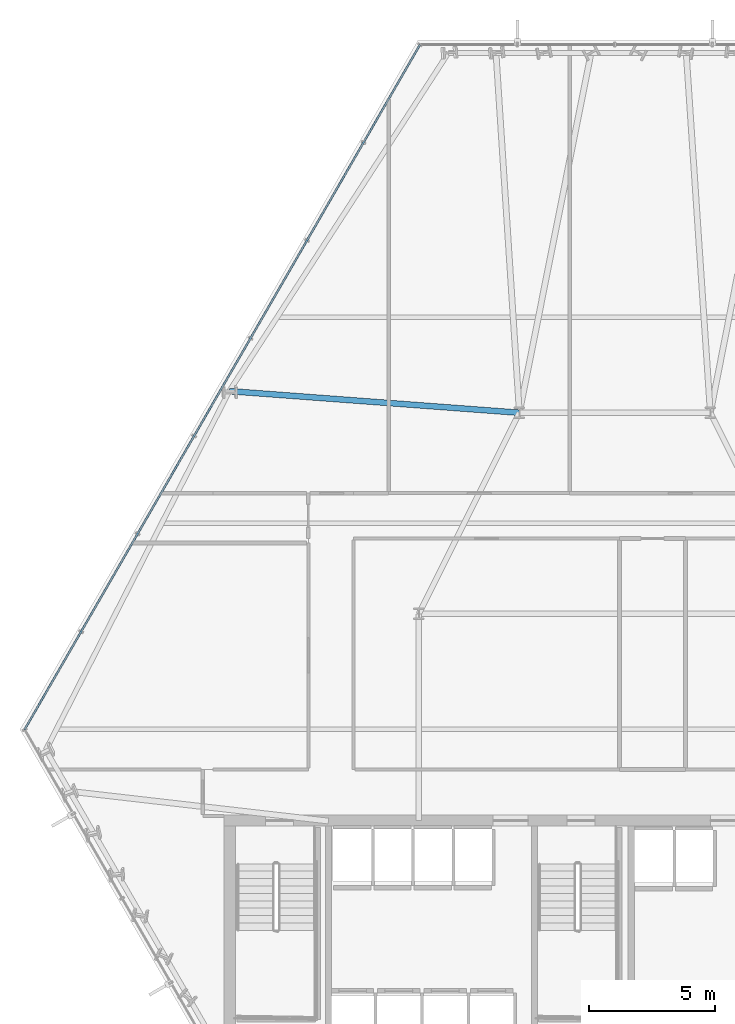
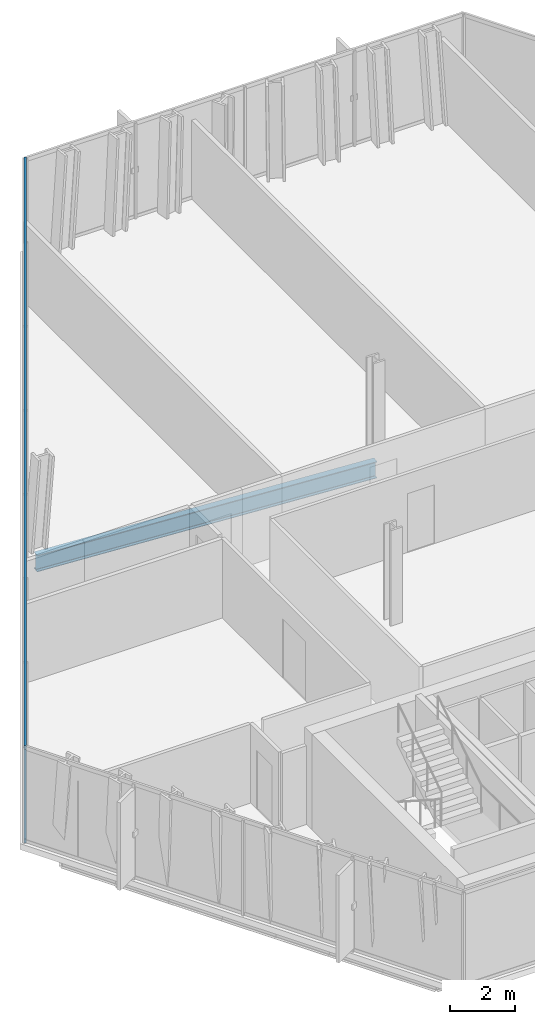
# One storey, part 12 of 32: 2 members, 1 beam, 1 element without a shape of its own.
"""IFC4 building model written with IfcOpenShell, lengths in metres."""

from ifc_helpers import new_model, si_unit, direction, frame, origin, origin_2d, place, context, subcontext, project, spatial, hollow_rectangle, i_section, extrude, material, layer, layer_set, material_profile, profile_set, type_object, element, aggregate, save


model = new_model("IFC4")

# Units and contexts
model_context = context("Model", 3, precision=1e-05, world=origin(), true_north=direction((0.0, 1.0)))
body_context = subcontext(model_context, "Body", "Model", "MODEL_VIEW")
ifc_project = project(units=[si_unit("LENGTHUNIT", "METRE"), si_unit("AREAUNIT", "SQUARE_METRE"), si_unit("VOLUMEUNIT", "CUBIC_METRE"), si_unit("PLANEANGLEUNIT", "RADIAN"), si_unit("MASSUNIT", "GRAM", prefix="KILO")], contexts=[model_context])

# Site, building, storey
site_placement = place(None, origin())
site = spatial("IfcSite", under=ifc_project, at=site_placement, CompositionType="ELEMENT")
building_placement = place(site_placement, origin())
building = spatial("IfcBuilding", under=site, at=building_placement, Name="Ndaravel Arena Tower", CompositionType="ELEMENT")
storey_placement = place(building_placement, frame((0.0, 0.0, 66.39990234375)))
storey = spatial("IfcBuildingStorey", under=building, at=storey_placement, Name="L14", CompositionType="ELEMENT", Elevation=66.39990234375)

# Beam
ifc_material_1 = material(Name="Steel S355", Category="steel")
ifc_material_profile_1 = material_profile(ifc_material_1, i_section(OverallWidth=0.230224609375, OverallDepth=0.6171875, WebThickness=0.01318359375, FlangeThickness=0.022216796875, FilletRadius=0.0126953125, at=origin_2d()), Name="UB 610x229x140")
ifc_profile_set_1 = profile_set([ifc_material_profile_1], Name="Steel S355")
beam_type = type_object("IfcBeamType", Name="BM-GIRD-UB610B", PredefinedType="BEAM", material=ifc_profile_set_1)
beam_placement = place(storey_placement, frame((26.653564453125, 32.060791015625, -0.528564453125), z_axis=(0.997232315228, -0.074348567334, 0.0), x_axis=(0.074348567334, 0.997232315228, 0.0)))
element("IfcBeam", 1, at=beam_placement, inside=storey, type_object=beam_type, Name="L14 Radial Floor Girder FG-19", PredefinedType="BEAM", context=body_context, shape_type="SweptSolid", body=[
    extrude(i_section(OverallWidth=0.230224609375, OverallDepth=0.6171875, WebThickness=0.01318359375, FlangeThickness=0.022216796875, FilletRadius=0.0126953125, at=origin_2d()), origin(), (0.0, 0.0, 1.0), 11.578369140625),
])

# Curtain wall, members
ifc_material_2 = material(Name="Aluminium", Category="aluminium")
ifc_layer = layer(ifc_material_2, 0.179931640625)
ifc_layer_set = layer_set([ifc_layer], Name="Aluminium")
curtain_wall_type = type_object("IfcCurtainWallType", Name="CW-SYS-03", PredefinedType="NOTDEFINED", material=ifc_layer_set)
curtain_wall_placement = place(storey_placement, origin())
curtain_wall = element("IfcCurtainWall", 2, at=curtain_wall_placement, inside=storey, type_object=curtain_wall_type, Name="L14 Faceted Crystal Curtain Wall CW-L14-E05", PredefinedType="NOTDEFINED")
ifc_material_3 = material(Name="Aluminium", Category="aluminium")
ifc_material_profile_2 = material_profile(ifc_material_3, hollow_rectangle(XDim=0.074951171875, YDim=0.14990234375, WallThickness=0.00390625, at=origin_2d()), Name="CW TRANSOM 75x150x4")
ifc_profile_set_2 = profile_set([ifc_material_profile_2], Name="Aluminium")
member_type = type_object("IfcMemberType", Name="MEM-CW-TRN150", PredefinedType="USERDEFINED", material=ifc_profile_set_2)
member_1_placement = place(storey_placement, frame((34.243896484375, 45.847900390625, 0.0400390625), z_axis=(-0.500001365865, -0.8660246152, 0.0), x_axis=(0.8660246152, -0.500001365865, 0.0)))
member_1 = element("IfcMember", 3, at=member_1_placement, type_object=member_type, Name="CW-L14-E05 Transom 01", ObjectType="TRANSOM", PredefinedType="USERDEFINED", context=body_context, shape_type="SweptSolid", body=[
    extrude(hollow_rectangle(XDim=0.074951171875, YDim=0.14990234375, WallThickness=0.00390625, at=origin_2d()), origin(), (0.0, 0.0, 1.0), 31.47021484375),
])
member_2_placement = place(storey_placement, frame((34.243896484375, 45.847900390625, 3.5400390625), z_axis=(-0.500001365865, -0.8660246152, 0.0), x_axis=(0.8660246152, -0.500001365865, 0.0)))
member_2 = element("IfcMember", 4, at=member_2_placement, type_object=member_type, Name="CW-L14-E05 Transom 02", ObjectType="TRANSOM", PredefinedType="USERDEFINED", context=body_context, shape_type="SweptSolid", body=[
    extrude(hollow_rectangle(XDim=0.074951171875, YDim=0.14990234375, WallThickness=0.00390625, at=origin_2d()), origin(), (0.0, 0.0, 1.0), 31.47021484375),
])
aggregate(curtain_wall, [member_1, member_2])

save(model, "model.ifc")
